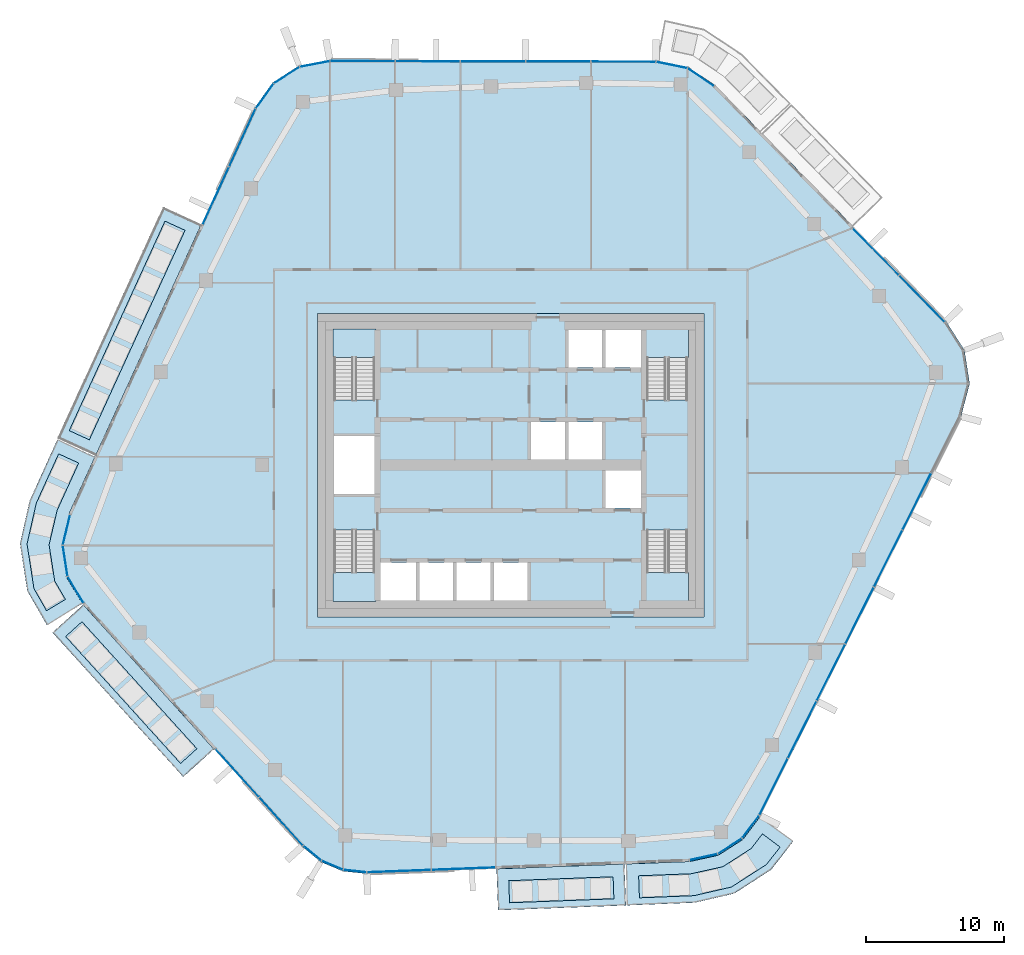
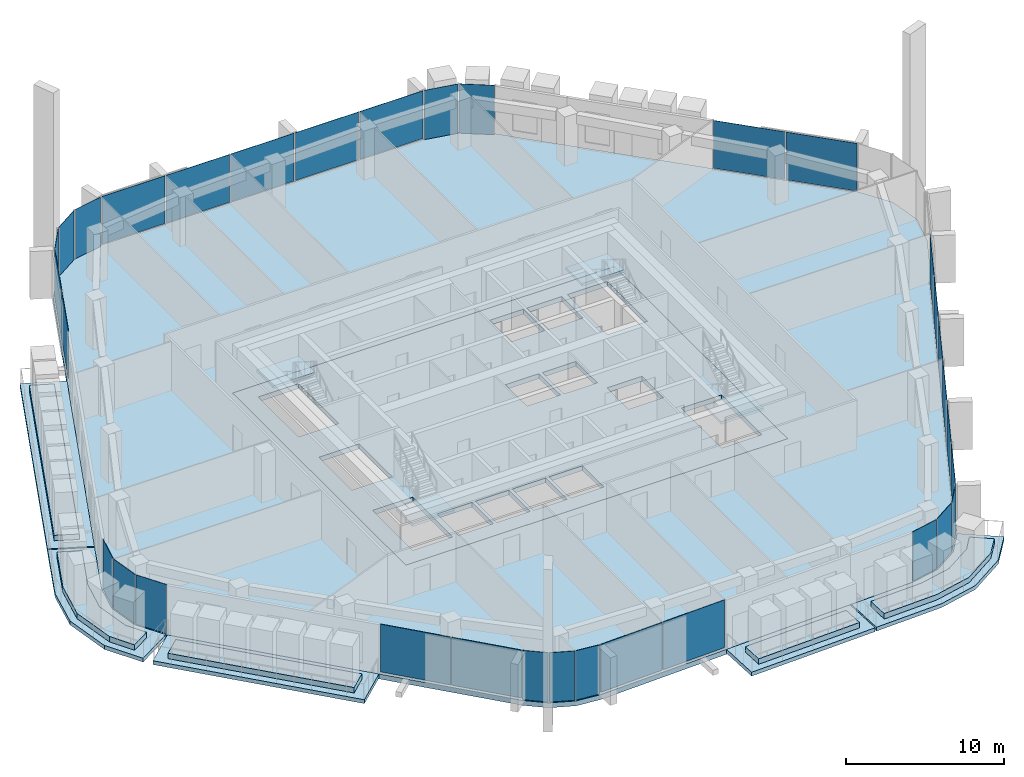
# One storey, part 11 of 24: 33 plates, 16 slabs, 15 elements without a shape of their own.
"""IFC4 building model written with IfcOpenShell, lengths in metres."""

from ifc_helpers import new_model, si_unit, direction, frame, origin, origin_2d, place, context, subcontext, project, spatial, polyline, rectangle, outline, extrude, material, layer, layer_set, type_object, element, aggregate, save


model = new_model("IFC4")

# Units and contexts
model_context = context("Model", 3, precision=1e-05, world=origin(), true_north=direction((0.0, 1.0)))
body_context = subcontext(model_context, "Body", "Model", "MODEL_VIEW")
ifc_project = project(units=[si_unit("LENGTHUNIT", "METRE"), si_unit("AREAUNIT", "SQUARE_METRE"), si_unit("VOLUMEUNIT", "CUBIC_METRE"), si_unit("PLANEANGLEUNIT", "RADIAN"), si_unit("MASSUNIT", "GRAM", prefix="KILO")], contexts=[model_context])

# Site, building, storey
site_placement = place(None, origin())
site = spatial("IfcSite", under=ifc_project, at=site_placement, CompositionType="ELEMENT")
building_placement = place(site_placement, origin())
building = spatial("IfcBuilding", under=site, at=building_placement, Name="Dongbaek Canopy Tower", CompositionType="ELEMENT")
storey_placement = place(building_placement, frame((0.0, 0.0, 306.800048828125)))
storey = spatial("IfcBuildingStorey", under=building, at=storey_placement, Name="L65", CompositionType="ELEMENT", Elevation=306.800048828125)

# Slabs
ifc_material_1 = material(Name="Concrete C40/50", Category="concrete")
ifc_layer_1 = layer(ifc_material_1, 0.300048828125)
ifc_layer_set_1 = layer_set([ifc_layer_1], Name="Balcony slab 300")
slab_type_1 = type_object("IfcSlabType", Name="Balcony slab 300", PredefinedType="FLOOR", material=ifc_layer_set_1)
slab_1_placement = place(storey_placement, frame((0.0, 0.0, -0.300048828125)))
element("IfcSlab", 1, at=slab_1_placement, inside=storey, type_object=slab_type_1, Name="Balcony L65 2", PredefinedType="FLOOR", context=body_context, shape_type="SweptSolid", body=[
    extrude(outline(polyline([(-22.43017578125, 17.41015625), (-30.07373046875, 0.687744140625), (-32.80224609375, 1.934814453125), (-25.15869140625, 18.657470703125), (-22.43017578125, 17.41015625)])), origin(), (0.0, 0.0, 1.0), 0.300048828125),
])
slab_2_placement = place(storey_placement, frame((0.0, 0.0, -0.300048828125)))
element("IfcSlab", 2, at=slab_2_placement, inside=storey, type_object=slab_type_1, Name="Balcony L65 6", PredefinedType="FLOOR", context=body_context, shape_type="SweptSolid", body=[
    extrude(outline(polyline([(-30.115234375, 0.5966796875), (-32.015625, -3.56103515625), (-32.5537109375, -5.812255859375), (-32.19970703125, -8.099609375), (-31.031982421875, -10.039794921875), (-33.6025390625, -11.5869140625), (-35.020263671875, -9.12158203125), (-35.55126953125, -5.690673828125), (-34.852294921875, -2.584228515625), (-32.84375, 1.843994140625), (-30.115234375, 0.5966796875)])), origin(), (0.0, 0.0, 1.0), 0.300048828125),
])
slab_3_placement = place(storey_placement, frame((0.0, 0.0, -0.300048828125)))
element("IfcSlab", 3, at=slab_3_placement, inside=storey, type_object=slab_type_1, Name="Balcony L65 3", PredefinedType="FLOOR", context=body_context, shape_type="SweptSolid", body=[
    extrude(outline(polyline([(-30.97265625, -10.119873046875), (-21.50048828125, -20.580078125), (-23.724365234375, -22.59375), (-33.196533203125, -12.133544921875), (-30.97265625, -10.119873046875)])), origin(), (0.0, 0.0, 1.0), 0.300048828125),
])
slab_4_placement = place(storey_placement, frame((0.0, 0.0, -0.300048828125)))
element("IfcSlab", 4, at=slab_4_placement, inside=storey, type_object=slab_type_1, Name="Balcony L65 4", PredefinedType="FLOOR", context=body_context, shape_type="SweptSolid", body=[
    extrude(outline(polyline([(-1.025146484375, -29.25341796875), (8.2333984375, -28.904052734375), (8.3466796875, -31.90185546875), (-0.912109375, -32.25146484375), (-1.025146484375, -29.25341796875)])), origin(), (0.0, 0.0, 1.0), 0.300048828125),
])
slab_5_placement = place(storey_placement, frame((0.0, 0.0, -0.300048828125)))
element("IfcSlab", 5, at=slab_5_placement, inside=storey, type_object=slab_type_1, Name="Balcony L65 7", PredefinedType="FLOOR", context=body_context, shape_type="SweptSolid", body=[
    extrude(outline(polyline([(8.33349609375, -28.900390625), (12.962646484375, -28.7255859375), (15.0380859375, -28.27099609375), (16.82470703125, -27.12158203125), (18.06884765625, -25.46142578125), (20.469482421875, -27.2607421875), (18.868896484375, -29.3173828125), (16.188720703125, -31.04150390625), (13.341796875, -31.70166015625), (8.446533203125, -31.898193359375), (8.33349609375, -28.900390625)])), origin(), (0.0, 0.0, 1.0), 0.300048828125),
])

# Curtain wall, plates
ifc_material_2 = material(Name="Aluminium 6063-T6 pale anodised", Category="aluminium")
ifc_layer_2 = layer(ifc_material_2, 0.199951171875)
ifc_layer_set_2 = layer_set([ifc_layer_2], Name="CW-1 unitised tower curtain wall")
curtain_wall_type = type_object("IfcCurtainWallType", Name="CW-1 unitised tower curtain wall", PredefinedType="NOTDEFINED", material=ifc_layer_set_2)
curtain_wall_1_placement = place(storey_placement, origin())
curtain_wall_1 = element("IfcCurtainWall", 6, at=curtain_wall_1_placement, inside=storey, type_object=curtain_wall_type, Name="CW-1 curtain wall F0.1", PredefinedType="NOTDEFINED")
ifc_material_3 = material(Name="Clear laminated glass", Category="glass")
ifc_layer_3 = layer(ifc_material_3, 0.028076171875)
ifc_layer_set_3 = layer_set([ifc_layer_3], Name="CW-1 glazed panel 28")
plate_type = type_object("IfcPlateType", Name="CW-1 glazed panel 28", PredefinedType="CURTAIN_PANEL", material=ifc_layer_set_3)
plate_1_placement = place(storey_placement, frame((29.800537109375, 12.048095703125, 0.1201171875), z_axis=(0.0, 0.0, 1.0), x_axis=(-0.699349233203, 0.714780141035, 0.0)))
plate_1 = element("IfcPlate", 7, at=plate_1_placement, type_object=plate_type, Name="CW-1 panel F0.1.1.1", PredefinedType="CURTAIN_PANEL", context=body_context, shape_type="SweptSolid", body=[
    extrude(rectangle(XDim=4.69287109375, YDim=0.028076171875, at=origin_2d()), origin(), (0.0, 0.0, 1.0), 3.699951171875),
])
plate_2_placement = place(storey_placement, frame((26.456298828125, 15.46630859375, 0.1201171875), z_axis=(0.0, 0.0, 1.0), x_axis=(-0.699349233203, 0.714780141035, 0.0)))
plate_2 = element("IfcPlate", 8, at=plate_2_placement, type_object=plate_type, Name="CW-1 panel F0.1.2.1", PredefinedType="CURTAIN_PANEL", context=body_context, shape_type="SweptSolid", body=[
    extrude(rectangle(XDim=4.703369140625, YDim=0.028076171875, at=origin_2d()), origin(), (0.0, 0.0, 1.0), 3.699951171875),
])
aggregate(curtain_wall_1, [plate_1, plate_2])

curtain_wall_2_placement = place(storey_placement, origin())
curtain_wall_2 = element("IfcCurtainWall", 9, at=curtain_wall_2_placement, inside=storey, type_object=curtain_wall_type, Name="CW-1 curtain wall K1.1", PredefinedType="NOTDEFINED")
plate_3_placement = place(storey_placement, frame((13.779541015625, 28.09326171875, 0.0), z_axis=(0.0, 0.0, 1.0), x_axis=(-0.826588605732, 0.562806606992, 0.0)))
plate_3 = element("IfcPlate", 10, at=plate_3_placement, type_object=plate_type, Name="CW-1 panel K1.1.1.1", PredefinedType="CURTAIN_PANEL", context=body_context, shape_type="SweptSolid", body=[
    extrude(rectangle(XDim=2.252685546875, YDim=0.028076171875, at=origin_2d()), origin(), (0.0, 0.0, 1.0), 3.820068359375),
])
plate_4_placement = place(storey_placement, frame((11.6689453125, 28.983642578125, 0.0), z_axis=(0.0, 0.0, 1.0), x_axis=(-0.979924768764, 0.199367619142, 0.0)))
plate_4 = element("IfcPlate", 11, at=plate_4_placement, type_object=plate_type, Name="CW-1 panel K1.1.2.1", PredefinedType="CURTAIN_PANEL", context=body_context, shape_type="SweptSolid", body=[
    extrude(rectangle(XDim=2.252685546875, YDim=0.028076171875, at=origin_2d()), origin(), (0.0, 0.0, 1.0), 3.820068359375),
])
aggregate(curtain_wall_2, [plate_3, plate_4])

curtain_wall_3_placement = place(storey_placement, origin())
curtain_wall_3 = element("IfcCurtainWall", 12, at=curtain_wall_3_placement, inside=storey, type_object=curtain_wall_type, Name="CW-1 curtain wall F1.1", PredefinedType="NOTDEFINED")
plate_5_placement = place(storey_placement, frame((8.165771484375, 29.2216796875, 0.1201171875), z_axis=(0.0, 0.0, 1.0), x_axis=(-0.999997623445, 0.002180161438, 0.0)))
plate_5 = element("IfcPlate", 13, at=plate_5_placement, type_object=plate_type, Name="CW-1 panel F1.1.1.1", PredefinedType="CURTAIN_PANEL", context=body_context, shape_type="SweptSolid", body=[
    extrude(rectangle(XDim=4.63232421875, YDim=0.028076171875, at=origin_2d()), origin(), (0.0, 0.0, 1.0), 3.699951171875),
])
plate_6_placement = place(storey_placement, frame((3.444580078125, 29.23193359375, 0.1201171875), z_axis=(0.0, 0.0, 1.0), x_axis=(-0.999997623445, 0.002180161438, 0.0)))
plate_6 = element("IfcPlate", 14, at=plate_6_placement, type_object=plate_type, Name="CW-1 panel F1.1.2.1", PredefinedType="CURTAIN_PANEL", context=body_context, shape_type="SweptSolid", body=[
    extrude(rectangle(XDim=4.64208984375, YDim=0.028076171875, at=origin_2d()), origin(), (0.0, 0.0, 1.0), 3.699951171875),
])
plate_7_placement = place(storey_placement, frame((-1.281494140625, 29.242431640625, 0.1201171875), z_axis=(0.0, 0.0, 1.0), x_axis=(-0.999997623445, 0.002180161438, 0.0)))
plate_7 = element("IfcPlate", 15, at=plate_7_placement, type_object=plate_type, Name="CW-1 panel F1.1.3.1", PredefinedType="CURTAIN_PANEL", context=body_context, shape_type="SweptSolid", body=[
    extrude(rectangle(XDim=4.64208984375, YDim=0.028076171875, at=origin_2d()), origin(), (0.0, 0.0, 1.0), 3.699951171875),
])
plate_8_placement = place(storey_placement, frame((-6.0078125, 29.252685546875, 0.1201171875), z_axis=(0.0, 0.0, 1.0), x_axis=(-0.999997623445, 0.002180161438, 0.0)))
plate_8 = element("IfcPlate", 16, at=plate_8_placement, type_object=plate_type, Name="CW-1 panel F1.1.4.1", PredefinedType="CURTAIN_PANEL", context=body_context, shape_type="SweptSolid", body=[
    extrude(rectangle(XDim=4.64208984375, YDim=0.028076171875, at=origin_2d()), origin(), (0.0, 0.0, 1.0), 3.699951171875),
])
plate_9_placement = place(storey_placement, frame((-10.72900390625, 29.262939453125, 0.1201171875), z_axis=(0.0, 0.0, 1.0), x_axis=(-0.999997623445, 0.002180161438, 0.0)))
plate_9 = element("IfcPlate", 17, at=plate_9_placement, type_object=plate_type, Name="CW-1 panel F1.1.5.1", PredefinedType="CURTAIN_PANEL", context=body_context, shape_type="SweptSolid", body=[
    extrude(rectangle(XDim=4.632568359375, YDim=0.028076171875, at=origin_2d()), origin(), (0.0, 0.0, 1.0), 3.699951171875),
])
aggregate(curtain_wall_3, [plate_5, plate_6, plate_7, plate_8, plate_9])

curtain_wall_4_placement = place(storey_placement, origin())
curtain_wall_4 = element("IfcCurtainWall", 18, at=curtain_wall_4_placement, inside=storey, type_object=curtain_wall_type, Name="CW-1 curtain wall K2.1", PredefinedType="NOTDEFINED")
plate_10_placement = place(storey_placement, frame((-14.1904296875, 29.0576171875, 0.0), z_axis=(0.0, 0.0, 1.0), x_axis=(-0.982281140871, -0.187413340747, 0.0)))
plate_10 = element("IfcPlate", 19, at=plate_10_placement, type_object=plate_type, Name="CW-1 panel K2.1.1.1", PredefinedType="CURTAIN_PANEL", context=body_context, shape_type="SweptSolid", body=[
    extrude(rectangle(XDim=2.161865234375, YDim=0.028076171875, at=origin_2d()), origin(), (0.0, 0.0, 1.0), 3.820068359375),
])
plate_11_placement = place(storey_placement, frame((-16.234619140625, 28.243896484375, 0.0), z_axis=(0.0, 0.0, 1.0), x_axis=(-0.841930753332, -0.539585587829, 0.0)))
plate_11 = element("IfcPlate", 20, at=plate_11_placement, type_object=plate_type, Name="CW-1 panel K2.1.2.1", PredefinedType="CURTAIN_PANEL", context=body_context, shape_type="SweptSolid", body=[
    extrude(rectangle(XDim=2.152099609375, YDim=0.028076171875, at=origin_2d()), origin(), (0.0, 0.0, 1.0), 3.820068359375),
])
plate_12_placement = place(storey_placement, frame((-17.827880859375, 26.726318359375, 0.0), z_axis=(0.0, 0.0, 1.0), x_axis=(-0.580575111889, -0.814206693325, 0.0)))
plate_12 = element("IfcPlate", 21, at=plate_12_placement, type_object=plate_type, Name="CW-1 panel K2.1.3.1", PredefinedType="CURTAIN_PANEL", context=body_context, shape_type="SweptSolid", body=[
    extrude(rectangle(XDim=2.161865234375, YDim=0.028076171875, at=origin_2d()), origin(), (0.0, 0.0, 1.0), 3.820068359375),
])
aggregate(curtain_wall_4, [plate_10, plate_11, plate_12])

curtain_wall_5_placement = place(storey_placement, origin())
curtain_wall_5 = element("IfcCurtainWall", 22, at=curtain_wall_5_placement, inside=storey, type_object=curtain_wall_type, Name="CW-1 curtain wall F2.1", PredefinedType="NOTDEFINED")
plate_13_placement = place(storey_placement, frame((-19.4384765625, 23.71484375, 0.1201171875), z_axis=(0.0, 0.0, 1.0), x_axis=(-0.415712926909, -0.909495883664, 0.0)))
plate_13 = element("IfcPlate", 23, at=plate_13_placement, type_object=plate_type, Name="CW-1 panel F2.1.1.1", PredefinedType="CURTAIN_PANEL", context=body_context, shape_type="SweptSolid", body=[
    extrude(rectangle(XDim=4.528076171875, YDim=0.028076171875, at=origin_2d()), origin(), (0.0, 0.0, 1.0), 3.699951171875),
])
plate_14_placement = place(storey_placement, frame((-21.357666015625, 19.515869140625, 0.1201171875), z_axis=(0.0, 0.0, 1.0), x_axis=(-0.415712926909, -0.909495883664, 0.0)))
plate_14 = element("IfcPlate", 24, at=plate_14_placement, type_object=plate_type, Name="CW-1 panel F2.1.2.1", PredefinedType="CURTAIN_PANEL", context=body_context, shape_type="SweptSolid", body=[
    extrude(rectangle(XDim=4.53759765625, YDim=0.028076171875, at=origin_2d()), origin(), (0.0, 0.0, 1.0), 3.699951171875),
])
aggregate(curtain_wall_5, [plate_13, plate_14])

curtain_wall_6_placement = place(storey_placement, origin())
curtain_wall_6 = element("IfcCurtainWall", 25, at=curtain_wall_6_placement, inside=storey, type_object=curtain_wall_type, Name="CW-1 curtain wall K3.1", PredefinedType="NOTDEFINED")
plate_15_placement = place(storey_placement, frame((-32.186279296875, -4.705078125, 0.0), z_axis=(0.0, 0.0, 1.0), x_axis=(-0.232482028187, -0.972600692253, 0.0)))
plate_15 = element("IfcPlate", 26, at=plate_15_placement, type_object=plate_type, Name="CW-1 panel K3.1.1.1", PredefinedType="CURTAIN_PANEL", context=body_context, shape_type="SweptSolid", body=[
    extrude(rectangle(XDim=2.201171875, YDim=0.028076171875, at=origin_2d()), origin(), (0.0, 0.0, 1.0), 3.820068359375),
])
plate_16_placement = place(storey_placement, frame((-32.27783203125, -6.940673828125, 0.0), z_axis=(0.0, 0.0, 1.0), x_axis=(0.15296362008, -0.988231820441, 0.0)))
plate_16 = element("IfcPlate", 27, at=plate_16_placement, type_object=plate_type, Name="CW-1 panel K3.1.2.1", PredefinedType="CURTAIN_PANEL", context=body_context, shape_type="SweptSolid", body=[
    extrude(rectangle(XDim=2.191162109375, YDim=0.028076171875, at=origin_2d()), origin(), (0.0, 0.0, 1.0), 3.820068359375),
])
plate_17_placement = place(storey_placement, frame((-31.5146484375, -9.0439453125, 0.0), z_axis=(0.0, 0.0, 1.0), x_axis=(0.51564634211, -0.856801523031, 0.0)))
plate_17 = element("IfcPlate", 28, at=plate_17_placement, type_object=plate_type, Name="CW-1 panel K3.1.3.1", PredefinedType="CURTAIN_PANEL", context=body_context, shape_type="SweptSolid", body=[
    extrude(rectangle(XDim=2.201171875, YDim=0.028076171875, at=origin_2d()), origin(), (0.0, 0.0, 1.0), 3.820068359375),
])
aggregate(curtain_wall_6, [plate_15, plate_16, plate_17])

curtain_wall_7_placement = place(storey_placement, origin())
curtain_wall_7 = element("IfcCurtainWall", 29, at=curtain_wall_7_placement, inside=storey, type_object=curtain_wall_type, Name="CW-1 curtain wall F3.1", PredefinedType="NOTDEFINED")
plate_18_placement = place(storey_placement, frame((-19.802978515625, -22.305908203125, 0.1201171875), z_axis=(0.0, 0.0, 1.0), x_axis=(0.671224526112, -0.741254096478, 0.0)))
plate_18 = element("IfcPlate", 30, at=plate_18_placement, type_object=plate_type, Name="CW-1 panel F3.1.1.1", PredefinedType="CURTAIN_PANEL", context=body_context, shape_type="SweptSolid", body=[
    extrude(rectangle(XDim=4.6533203125, YDim=0.028076171875, at=origin_2d()), origin(), (0.0, 0.0, 1.0), 3.699951171875),
])
plate_19_placement = place(storey_placement, frame((-16.625732421875, -25.814697265625, 0.1201171875), z_axis=(0.0, 0.0, 1.0), x_axis=(0.671224526112, -0.741254096478, 0.0)))
plate_19 = element("IfcPlate", 31, at=plate_19_placement, type_object=plate_type, Name="CW-1 panel F3.1.2.1", PredefinedType="CURTAIN_PANEL", context=body_context, shape_type="SweptSolid", body=[
    extrude(rectangle(XDim=4.64599609375, YDim=0.028076171875, at=origin_2d()), origin(), (0.0, 0.0, 1.0), 3.699951171875),
])
aggregate(curtain_wall_7, [plate_18, plate_19])

curtain_wall_8_placement = place(storey_placement, origin())
curtain_wall_8 = element("IfcCurtainWall", 32, at=curtain_wall_8_placement, inside=storey, type_object=curtain_wall_type, Name="CW-1 curtain wall K4.1", PredefinedType="NOTDEFINED")
plate_20_placement = place(storey_placement, frame((-14.375732421875, -28.11376953125, 0.0), z_axis=(0.0, 0.0, 1.0), x_axis=(0.771568100588, -0.636146733195, 0.0)))
plate_20 = element("IfcPlate", 33, at=plate_20_placement, type_object=plate_type, Name="CW-1 panel K4.1.1.1", PredefinedType="CURTAIN_PANEL", context=body_context, shape_type="SweptSolid", body=[
    extrude(rectangle(XDim=1.63330078125, YDim=0.028076171875, at=origin_2d()), origin(), (0.0, 0.0, 1.0), 3.820068359375),
])
plate_21_placement = place(storey_placement, frame((-12.92529296875, -28.991943359375, 0.0), z_axis=(0.0, 0.0, 1.0), x_axis=(0.921602198627, -0.388135784855, 0.0)))
plate_21 = element("IfcPlate", 34, at=plate_21_placement, type_object=plate_type, Name="CW-1 panel K4.1.2.1", PredefinedType="CURTAIN_PANEL", context=body_context, shape_type="SweptSolid", body=[
    extrude(rectangle(XDim=1.6259765625, YDim=0.028076171875, at=origin_2d()), origin(), (0.0, 0.0, 1.0), 3.820068359375),
])
plate_22_placement = place(storey_placement, frame((-11.283935546875, -29.416015625, 0.0), z_axis=(0.0, 0.0, 1.0), x_axis=(0.994203592294, -0.107513799439, 0.0)))
plate_22 = element("IfcPlate", 35, at=plate_22_placement, type_object=plate_type, Name="CW-1 panel K4.1.3.1", PredefinedType="CURTAIN_PANEL", context=body_context, shape_type="SweptSolid", body=[
    extrude(rectangle(XDim=1.63330078125, YDim=0.028076171875, at=origin_2d()), origin(), (0.0, 0.0, 1.0), 3.820068359375),
])
aggregate(curtain_wall_8, [plate_20, plate_21, plate_22])

curtain_wall_9_placement = place(storey_placement, origin())
curtain_wall_9 = element("IfcCurtainWall", 36, at=curtain_wall_9_placement, inside=storey, type_object=curtain_wall_type, Name="CW-1 curtain wall F4.1", PredefinedType="NOTDEFINED")
plate_23_placement = place(storey_placement, frame((-8.09423828125, -29.420166015625, 0.1201171875), z_axis=(0.0, 0.0, 1.0), x_axis=(0.999288649502, 0.037712000431, 0.0)))
plate_23 = element("IfcPlate", 37, at=plate_23_placement, type_object=plate_type, Name="CW-1 panel F4.1.1.1", PredefinedType="CURTAIN_PANEL", context=body_context, shape_type="SweptSolid", body=[
    extrude(rectangle(XDim=4.59130859375, YDim=0.028076171875, at=origin_2d()), origin(), (0.0, 0.0, 1.0), 3.699951171875),
])
plate_24_placement = place(storey_placement, frame((-3.41845703125, -29.24365234375, 0.1201171875), z_axis=(0.0, 0.0, 1.0), x_axis=(0.999288649502, 0.037712000431, 0.0)))
plate_24 = element("IfcPlate", 38, at=plate_24_placement, type_object=plate_type, Name="CW-1 panel F4.1.2.1", PredefinedType="CURTAIN_PANEL", context=body_context, shape_type="SweptSolid", body=[
    extrude(rectangle(XDim=4.5986328125, YDim=0.028076171875, at=origin_2d()), origin(), (0.0, 0.0, 1.0), 3.699951171875),
])
aggregate(curtain_wall_9, [plate_23, plate_24])

curtain_wall_10_placement = place(storey_placement, origin())
curtain_wall_10 = element("IfcCurtainWall", 39, at=curtain_wall_10_placement, inside=storey, type_object=curtain_wall_type, Name="CW-1 curtain wall K5.1", PredefinedType="NOTDEFINED")
plate_25_placement = place(storey_placement, frame((13.974609375, -28.401611328125, 0.0), z_axis=(0.0, 0.0, 1.0), x_axis=(0.976826650788, 0.21403199366, 0.0)))
plate_25 = element("IfcPlate", 40, at=plate_25_placement, type_object=plate_type, Name="CW-1 panel K5.1.1.1", PredefinedType="CURTAIN_PANEL", context=body_context, shape_type="SweptSolid", body=[
    extrude(rectangle(XDim=2.013671875, YDim=0.028076171875, at=origin_2d()), origin(), (0.0, 0.0, 1.0), 3.820068359375),
])
plate_26_placement = place(storey_placement, frame((15.877197265625, -27.612060546875, 0.0), z_axis=(0.0, 0.0, 1.0), x_axis=(0.841003829128, 0.541029166858, 0.0)))
plate_26 = element("IfcPlate", 41, at=plate_26_placement, type_object=plate_type, Name="CW-1 panel K5.1.2.1", PredefinedType="CURTAIN_PANEL", context=body_context, shape_type="SweptSolid", body=[
    extrude(rectangle(XDim=2.004638671875, YDim=0.028076171875, at=origin_2d()), origin(), (0.0, 0.0, 1.0), 3.820068359375),
])
plate_27_placement = place(storey_placement, frame((17.384521484375, -26.207763671875, 0.0), z_axis=(0.0, 0.0, 1.0), x_axis=(0.599740160664, 0.800194813584, 0.0)))
plate_27 = element("IfcPlate", 42, at=plate_27_placement, type_object=plate_type, Name="CW-1 panel K5.1.3.1", PredefinedType="CURTAIN_PANEL", context=body_context, shape_type="SweptSolid", body=[
    extrude(rectangle(XDim=2.013671875, YDim=0.028076171875, at=origin_2d()), origin(), (0.0, 0.0, 1.0), 3.820068359375),
])
aggregate(curtain_wall_10, [plate_25, plate_26, plate_27])

curtain_wall_11_placement = place(storey_placement, origin())
curtain_wall_11 = element("IfcCurtainWall", 43, at=curtain_wall_11_placement, inside=storey, type_object=curtain_wall_type, Name="CW-1 curtain wall F5.1", PredefinedType="NOTDEFINED")
plate_28_placement = place(storey_placement, frame((19.048828125, -23.3056640625, 0.1201171875), z_axis=(0.0, 0.0, 1.0), x_axis=(0.448598466859, 0.893733414129, 0.0)))
plate_28 = element("IfcPlate", 44, at=plate_28_placement, type_object=plate_type, Name="CW-1 panel F5.1.1.1", PredefinedType="CURTAIN_PANEL", context=body_context, shape_type="SweptSolid", body=[
    extrude(rectangle(XDim=4.532470703125, YDim=0.028076171875, at=origin_2d()), origin(), (0.0, 0.0, 1.0), 3.699951171875),
])
plate_29_placement = place(storey_placement, frame((21.121826171875, -19.17578125, 0.1201171875), z_axis=(0.0, 0.0, 1.0), x_axis=(0.448598466859, 0.893733414129, 0.0)))
plate_29 = element("IfcPlate", 45, at=plate_29_placement, type_object=plate_type, Name="CW-1 panel F5.1.2.1", PredefinedType="CURTAIN_PANEL", context=body_context, shape_type="SweptSolid", body=[
    extrude(rectangle(XDim=4.54150390625, YDim=0.028076171875, at=origin_2d()), origin(), (0.0, 0.0, 1.0), 3.699951171875),
])
plate_30_placement = place(storey_placement, frame((23.19677734375, -15.0419921875, 0.1201171875), z_axis=(0.0, 0.0, 1.0), x_axis=(0.448598466859, 0.893733414129, 0.0)))
plate_30 = element("IfcPlate", 46, at=plate_30_placement, type_object=plate_type, Name="CW-1 panel F5.1.3.1", PredefinedType="CURTAIN_PANEL", context=body_context, shape_type="SweptSolid", body=[
    extrude(rectangle(XDim=4.54150390625, YDim=0.028076171875, at=origin_2d()), origin(), (0.0, 0.0, 1.0), 3.699951171875),
])
plate_31_placement = place(storey_placement, frame((25.271728515625, -10.907958984375, 0.1201171875), z_axis=(0.0, 0.0, 1.0), x_axis=(0.448598466859, 0.893733414129, 0.0)))
plate_31 = element("IfcPlate", 47, at=plate_31_placement, type_object=plate_type, Name="CW-1 panel F5.1.4.1", PredefinedType="CURTAIN_PANEL", context=body_context, shape_type="SweptSolid", body=[
    extrude(rectangle(XDim=4.54150390625, YDim=0.028076171875, at=origin_2d()), origin(), (0.0, 0.0, 1.0), 3.699951171875),
])
plate_32_placement = place(storey_placement, frame((27.3466796875, -6.774169921875, 0.1201171875), z_axis=(0.0, 0.0, 1.0), x_axis=(0.448598466859, 0.893733414129, 0.0)))
plate_32 = element("IfcPlate", 48, at=plate_32_placement, type_object=plate_type, Name="CW-1 panel F5.1.5.1", PredefinedType="CURTAIN_PANEL", context=body_context, shape_type="SweptSolid", body=[
    extrude(rectangle(XDim=4.54150390625, YDim=0.028076171875, at=origin_2d()), origin(), (0.0, 0.0, 1.0), 3.699951171875),
])
plate_33_placement = place(storey_placement, frame((29.421630859375, -2.640380859375, 0.1201171875), z_axis=(0.0, 0.0, 1.0), x_axis=(0.448598466859, 0.893733414129, 0.0)))
plate_33 = element("IfcPlate", 49, at=plate_33_placement, type_object=plate_type, Name="CW-1 panel F5.1.6.1", PredefinedType="CURTAIN_PANEL", context=body_context, shape_type="SweptSolid", body=[
    extrude(rectangle(XDim=4.54150390625, YDim=0.028076171875, at=origin_2d()), origin(), (0.0, 0.0, 1.0), 3.699951171875),
])
aggregate(curtain_wall_11, [plate_28, plate_29, plate_30, plate_31, plate_32, plate_33])

# Slab
ifc_material_4 = material(Name="Concrete C40/50", Category="concrete")
ifc_layer_4 = layer(ifc_material_4, 0.3798828125)
ifc_layer_set_4 = layer_set([ifc_layer_4], Name="Core floor slab 380 Concrete C40/50")
slab_type_2 = type_object("IfcSlabType", Name="Core floor slab 380 Concrete C40/50", PredefinedType="FLOOR", material=ifc_layer_set_4)
slab_6_placement = place(storey_placement, frame((0.0, 0.0, -0.380126953125)))
element("IfcSlab", 50, at=slab_6_placement, inside=storey, type_object=slab_type_2, Name="Core floor slab L65", PredefinedType="FLOOR", context=body_context, shape_type="SweptSolid", body=[
    extrude(outline(polyline([(14.0, -11.0), (14.0, 11.0), (-14.0, 11.0), (-14.0, -11.0), (14.0, -11.0)]), holes=[polyline([(-12.800048828125, 2.10009765625), (-9.85009765625, 2.10009765625), (-9.85009765625, -2.10009765625), (-12.800048828125, -2.10009765625), (-12.800048828125, 2.10009765625)]), polyline([(6.625, 9.800048828125), (6.625, 7.074951171875), (4.175048828125, 7.074951171875), (4.175048828125, 9.800048828125), (6.625, 9.800048828125)]), polyline([(9.449951171875, 7.074951171875), (6.875, 7.074951171875), (6.875, 9.800048828125), (9.449951171875, 9.800048828125), (9.449951171875, 7.074951171875)]), polyline([(1.47509765625, 0.39990234375), (1.47509765625, 3.125), (3.925048828125, 3.125), (3.925048828125, 0.39990234375), (1.47509765625, 0.39990234375)]), polyline([(4.175048828125, 0.39990234375), (4.175048828125, 3.125), (6.625, 3.125), (6.625, 0.39990234375), (4.175048828125, 0.39990234375)]), polyline([(9.449951171875, -3.125), (6.875, -3.125), (6.875, -0.39990234375), (9.449951171875, -0.39990234375), (9.449951171875, -3.125)]), polyline([(-9.449951171875, -7.074951171875), (-6.875, -7.074951171875), (-6.875, -9.800048828125), (-9.449951171875, -9.800048828125), (-9.449951171875, -7.074951171875)]), polyline([(-6.625, -9.800048828125), (-6.625, -7.074951171875), (-4.175048828125, -7.074951171875), (-4.175048828125, -9.800048828125), (-6.625, -9.800048828125)]), polyline([(-3.925048828125, -9.800048828125), (-3.925048828125, -7.074951171875), (-1.47509765625, -7.074951171875), (-1.47509765625, -9.800048828125), (-3.925048828125, -9.800048828125)]), polyline([(-1.22509765625, -9.800048828125), (-1.22509765625, -7.074951171875), (1.22509765625, -7.074951171875), (1.22509765625, -9.800048828125), (-1.22509765625, -9.800048828125)]), polyline([(12.800048828125, 4.70068359375), (12.800048828125, 9.800048828125), (9.85009765625, 9.800048828125), (9.85009765625, 4.70068359375), (12.800048828125, 4.70068359375)]), polyline([(-9.85009765625, 4.70068359375), (-9.85009765625, 9.800048828125), (-12.800048828125, 9.800048828125), (-12.800048828125, 4.70068359375), (-9.85009765625, 4.70068359375)]), polyline([(9.85009765625, -4.70068359375), (9.85009765625, -9.800048828125), (12.800048828125, -9.800048828125), (12.800048828125, -4.70068359375), (9.85009765625, -4.70068359375)]), polyline([(-12.800048828125, -4.70068359375), (-12.800048828125, -9.800048828125), (-9.85009765625, -9.800048828125), (-9.85009765625, -4.70068359375), (-12.800048828125, -4.70068359375)])]), origin(), (0.0, 0.0, 1.0), 0.380126953125),
])

# Stair, slab
ifc_material_5 = material(Name="Concrete C40/50", Category="concrete")
stair_type = type_object("IfcStairType", Name="Core exit stair", PredefinedType="HALF_TURN_STAIR", material=ifc_material_5)
stair_1_placement = place(storey_placement, origin())
stair_1 = element("IfcStair", 51, at=stair_1_placement, inside=storey, type_object=stair_type, Name="L65 exit stair A", PredefinedType="HALF_TURN_STAIR")
ifc_material_6 = material(Name="Concrete C40/50", Category="concrete")
ifc_layer_5 = layer(ifc_material_6, 0.199951171875)
ifc_layer_set_5 = layer_set([ifc_layer_5], Name="Core stair landing 200")
slab_type_3 = type_object("IfcSlabType", Name="Core stair landing 200", PredefinedType="LANDING", material=ifc_layer_set_5)
slab_7_placement = place(storey_placement, frame((0.0, 0.0, 1.89990234375)))
slab_7 = element("IfcSlab", 52, at=slab_7_placement, type_object=slab_type_3, Name="ST-A landing 1", PredefinedType="LANDING", context=body_context, shape_type="SweptSolid", body=[
    extrude(outline(polyline([(12.875, 7.780029296875), (12.875, 9.875), (9.77490234375, 9.875), (9.77490234375, 7.780029296875), (12.875, 7.780029296875)])), origin(), (0.0, 0.0, 1.0), 0.199951171875),
])
aggregate(stair_1, [slab_7])

stair_2_placement = place(storey_placement, origin())
stair_2 = element("IfcStair", 53, at=stair_2_placement, inside=storey, type_object=stair_type, Name="L65 exit stair C", PredefinedType="HALF_TURN_STAIR")
slab_8_placement = place(storey_placement, frame((0.0, 0.0, 1.89990234375)))
slab_8 = element("IfcSlab", 54, at=slab_8_placement, type_object=slab_type_3, Name="ST-C landing 1", PredefinedType="LANDING", context=body_context, shape_type="SweptSolid", body=[
    extrude(outline(polyline([(-9.77490234375, 7.780029296875), (-9.77490234375, 9.875), (-12.875, 9.875), (-12.875, 7.780029296875), (-9.77490234375, 7.780029296875)])), origin(), (0.0, 0.0, 1.0), 0.199951171875),
])
aggregate(stair_2, [slab_8])

stair_3_placement = place(storey_placement, origin())
stair_3 = element("IfcStair", 55, at=stair_3_placement, inside=storey, type_object=stair_type, Name="L65 exit stair B", PredefinedType="HALF_TURN_STAIR")
slab_9_placement = place(storey_placement, frame((0.0, 0.0, 1.89990234375)))
slab_9 = element("IfcSlab", 56, at=slab_9_placement, type_object=slab_type_3, Name="ST-B landing 1", PredefinedType="LANDING", context=body_context, shape_type="SweptSolid", body=[
    extrude(outline(polyline([(9.77490234375, -7.780029296875), (9.77490234375, -9.875), (12.875, -9.875), (12.875, -7.780029296875), (9.77490234375, -7.780029296875)])), origin(), (0.0, 0.0, 1.0), 0.199951171875),
])
aggregate(stair_3, [slab_9])

stair_4_placement = place(storey_placement, origin())
stair_4 = element("IfcStair", 57, at=stair_4_placement, inside=storey, type_object=stair_type, Name="L65 exit stair D", PredefinedType="HALF_TURN_STAIR")
slab_10_placement = place(storey_placement, frame((0.0, 0.0, 1.89990234375)))
slab_10 = element("IfcSlab", 58, at=slab_10_placement, type_object=slab_type_3, Name="ST-D landing 1", PredefinedType="LANDING", context=body_context, shape_type="SweptSolid", body=[
    extrude(outline(polyline([(-12.875, -7.780029296875), (-12.875, -9.875), (-9.77490234375, -9.875), (-9.77490234375, -7.780029296875), (-12.875, -7.780029296875)])), origin(), (0.0, 0.0, 1.0), 0.199951171875),
])
aggregate(stair_4, [slab_10])

# Slabs
ifc_material_7 = material(Name="Concrete C40", Category="concrete")
ifc_layer_6 = layer(ifc_material_7, 0.3798828125)
ifc_layer_set_6 = layer_set([ifc_layer_6], Name="RC FLAT PLATE 380 Concrete C40")
slab_type_4 = type_object("IfcSlabType", Name="RC FLAT PLATE 380 Concrete C40", PredefinedType="FLOOR", material=ifc_layer_set_6)
slab_11_placement = place(storey_placement, frame((0.0, 0.0, -0.380126953125)))
element("IfcSlab", 59, at=slab_11_placement, inside=storey, type_object=slab_type_4, Name="SLAB:L65", PredefinedType="FLOOR", context=body_context, shape_type="SweptSolid", body=[
    extrude(outline(polyline([(18.098876953125, -25.42138671875), (16.82470703125, -27.12158203125), (15.0380859375, -28.27099609375), (12.962646484375, -28.7255859375), (-10.43359375, -29.608642578125), (-12.162841796875, -29.421630859375), (-13.765625, -28.74658203125), (-15.107421875, -27.64013671875), (-31.006103515625, -10.082763671875), (-32.19970703125, -8.099609375), (-32.5537109375, -5.812255859375), (-32.015625, -3.56103515625), (-18.56689453125, 25.8623046875), (-17.24609375, 27.71435546875), (-15.3310546875, 28.94189453125), (-13.0966796875, 29.3681640625), (10.5341796875, 29.316650390625), (12.853515625, 28.8447265625), (14.809814453125, 27.5126953125), (31.5498046875, 10.4033203125), (32.873779296875, 8.327880859375), (33.2529296875, 5.8955078125), (32.62353515625, 3.515625), (18.098876953125, -25.42138671875)]), holes=[polyline([(14.0, 11.0), (-14.0, 11.0), (-14.0, -11.0), (14.0, -11.0), (14.0, 11.0)])]), origin(), (0.0, 0.0, 1.0), 0.380126953125),
])
ifc_material_8 = material(Name="Reinforced concrete C40/50 planter box with soil", Category="concrete")
ifc_layer_7 = layer(ifc_material_8, 0.419921875)
ifc_layer_set_7 = layer_set([ifc_layer_7], Name="Terrace planter box 1600 x 420")
slab_type_5 = type_object("IfcSlabType", Name="Terrace planter box 1600 x 420", PredefinedType="USERDEFINED", material=ifc_layer_set_7)
slab_12_placement = place(storey_placement, origin())
element("IfcSlab", 60, at=slab_12_placement, inside=storey, type_object=slab_type_5, Name="Balcony planter L65 2", ObjectType="PLANTER", PredefinedType="USERDEFINED", context=body_context, shape_type="SweptSolid", body=[
    extrude(outline(polyline([(-23.593017578125, 17.007080078125), (-30.52978515625, 1.830810546875), (-31.98486328125, 2.495849609375), (-25.048095703125, 17.67236328125), (-23.593017578125, 17.007080078125)])), origin(), (0.0, 0.0, 1.0), 0.419921875),
])
slab_13_placement = place(storey_placement, origin())
element("IfcSlab", 61, at=slab_13_placement, inside=storey, type_object=slab_type_5, Name="Balcony planter L65 6", ObjectType="PLANTER", PredefinedType="USERDEFINED", context=body_context, shape_type="SweptSolid", body=[
    extrude(outline(polyline([(-31.298828125, 0.148193359375), (-32.857177734375, -3.271240234375), (-33.443115234375, -5.776123046875), (-33.03662109375, -8.40283203125), (-32.258544921875, -9.727783203125), (-33.629638671875, -10.552734375), (-34.540771484375, -8.947998046875), (-35.041748046875, -5.71142578125), (-34.369873046875, -2.750244140625), (-32.75390625, 0.8134765625), (-31.298828125, 0.148193359375)])), origin(), (0.0, 0.0, 1.0), 0.419921875),
])
slab_14_placement = place(storey_placement, origin())
element("IfcSlab", 62, at=slab_14_placement, inside=storey, type_object=slab_type_5, Name="Balcony planter L65 3", ObjectType="PLANTER", PredefinedType="USERDEFINED", context=body_context, shape_type="SweptSolid", body=[
    extrude(outline(polyline([(-31.061767578125, -11.34716796875), (-22.730712890625, -20.54736328125), (-23.916748046875, -21.621337890625), (-32.247802734375, -12.421142578125), (-31.061767578125, -11.34716796875)])), origin(), (0.0, 0.0, 1.0), 0.419921875),
])
slab_15_placement = place(storey_placement, origin())
element("IfcSlab", 63, at=slab_15_placement, inside=storey, type_object=slab_type_5, Name="Balcony planter L65 4", ObjectType="PLANTER", PredefinedType="USERDEFINED", context=body_context, shape_type="SweptSolid", body=[
    extrude(outline(polyline([(-0.142333984375, -30.11083984375), (7.417724609375, -29.825439453125), (7.47802734375, -31.42431640625), (-0.081787109375, -31.709716796875), (-0.142333984375, -30.11083984375)])), origin(), (0.0, 0.0, 1.0), 0.419921875),
])
slab_16_placement = place(storey_placement, origin())
element("IfcSlab", 64, at=slab_16_placement, inside=storey, type_object=slab_type_5, Name="Balcony planter L65 7", ObjectType="PLANTER", PredefinedType="USERDEFINED", context=body_context, shape_type="SweptSolid", body=[
    extrude(outline(polyline([(9.266357421875, -29.755615234375), (13.0751953125, -29.6083984375), (15.37939453125, -29.0927734375), (17.43115234375, -27.77294921875), (18.2412109375, -26.71533203125), (19.521484375, -27.675048828125), (18.521240234375, -28.944091796875), (15.9931640625, -30.5703125), (13.27734375, -31.195556640625), (9.32666015625, -31.3544921875), (9.266357421875, -29.755615234375)])), origin(), (0.0, 0.0, 1.0), 0.419921875),
])

save(model, "model.ifc")
